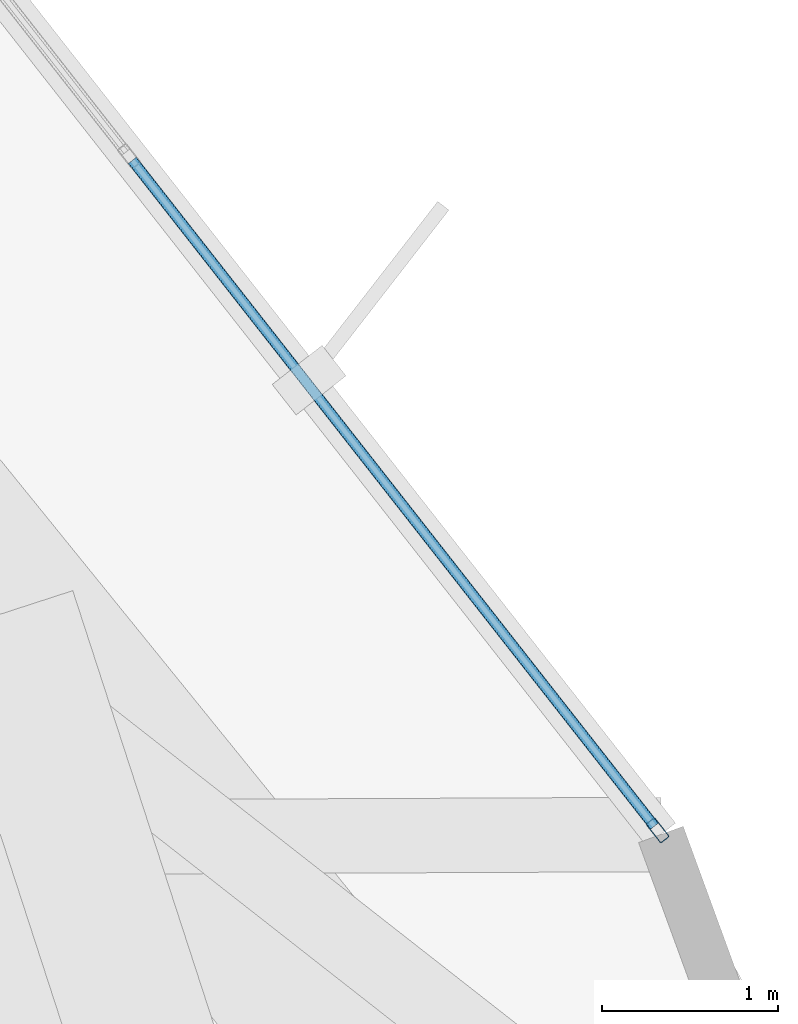
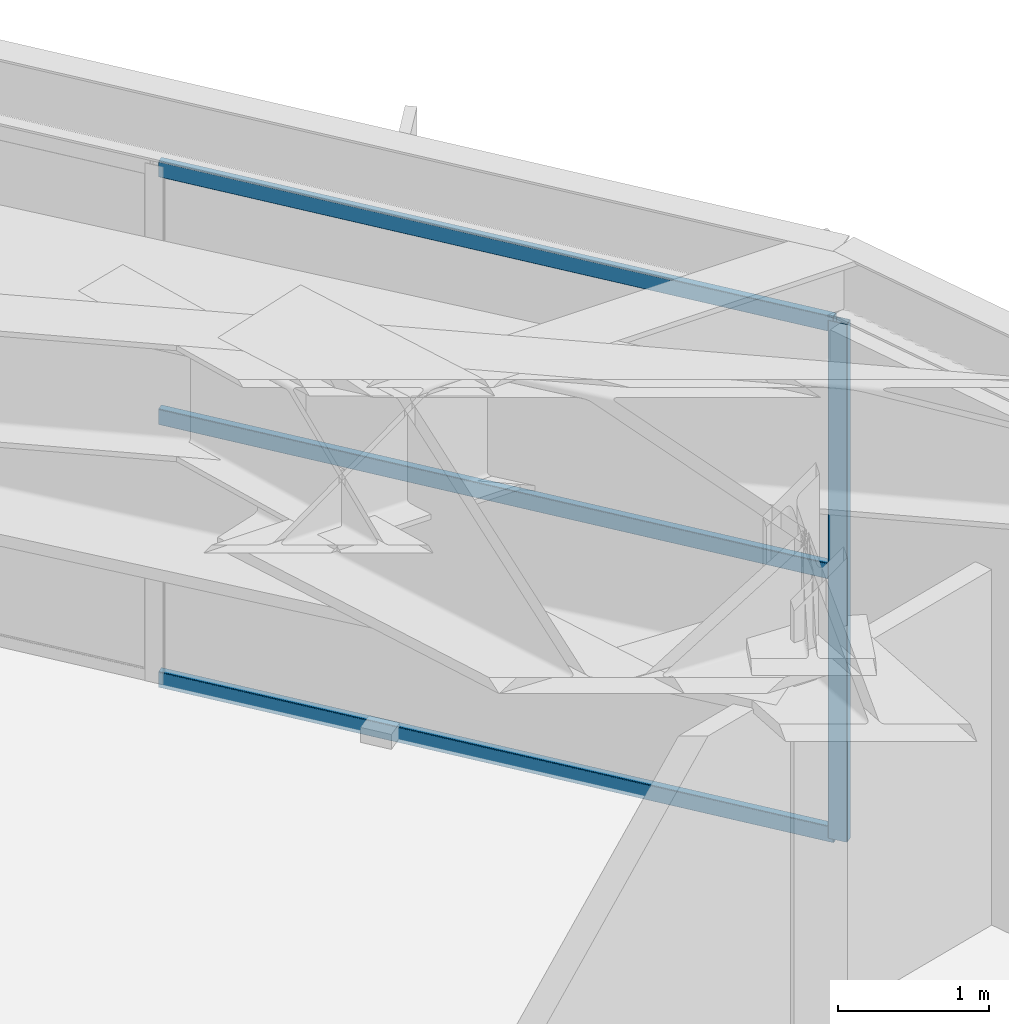
# One storey, part 17 of 30: 4 members, 1 element without a shape of its own.
"""IFC4 building model written with IfcOpenShell, lengths in metres."""

from ifc_helpers import new_model, si_unit, direction, frame, origin, origin_2d, place, context, subcontext, project, spatial, hollow_rectangle, extrude, material, layer, layer_set, material_profile, profile_set, type_object, element, aggregate, save


model = new_model("IFC4")

# Units and contexts
model_context = context("Model", 3, precision=1e-05, world=origin(), true_north=direction((0.0, 1.0)))
body_context = subcontext(model_context, "Body", "Model", "MODEL_VIEW")
ifc_project = project(units=[si_unit("LENGTHUNIT", "METRE"), si_unit("AREAUNIT", "SQUARE_METRE"), si_unit("VOLUMEUNIT", "CUBIC_METRE"), si_unit("PLANEANGLEUNIT", "RADIAN"), si_unit("MASSUNIT", "GRAM", prefix="KILO")], contexts=[model_context])

# Site, building, storey
site_placement = place(None, origin())
site = spatial("IfcSite", under=ifc_project, at=site_placement, CompositionType="ELEMENT")
building_placement = place(site_placement, origin())
building = spatial("IfcBuilding", under=site, at=building_placement, Name="Soratama Intermodal Tower", CompositionType="ELEMENT")
storey_placement = place(building_placement, frame((0.0, 0.0, 237.39990234375)))
storey = spatial("IfcBuildingStorey", under=building, at=storey_placement, Name="L60", CompositionType="ELEMENT", Elevation=237.39990234375)

# Curtain wall, members
ifc_material_1 = material(Name="Double-glazed aluminium curtain wall", Category="aluminium")
ifc_layer = layer(ifc_material_1, 0.159912109375)
ifc_layer_set = layer_set([ifc_layer], Name="Double-glazed aluminium curtain wall")
curtain_wall_type = type_object("IfcCurtainWallType", Name="CW-SYS-5", PredefinedType="NOTDEFINED", material=ifc_layer_set)
curtain_wall_placement = place(storey_placement, origin())
curtain_wall = element("IfcCurtainWall", 1, at=curtain_wall_placement, inside=storey, type_object=curtain_wall_type, Name="L60 Faceted Curtain Wall F10", PredefinedType="NOTDEFINED")
ifc_material_2 = material(Name="Anodised aluminium AA 6063-T6", Category="aluminium")
ifc_material_profile_1 = material_profile(ifc_material_2, hollow_rectangle(XDim=0.06494140625, YDim=0.139892578125, WallThickness=0.0048828125, InnerFilletRadius=0.0048828125, OuterFilletRadius=0.010009765625, at=origin_2d()), Name="CWM140X65X5")
ifc_profile_set_1 = profile_set([ifc_material_profile_1], Name="Anodised aluminium AA 6063-T6")
member_type_1 = type_object("IfcMemberType", Name="MT-CWM-5", PredefinedType="MULLION", material=ifc_profile_set_1)
member_1_placement = place(storey_placement, frame((63.646240234375, 33.433349609375, 0.0), z_axis=(0.0, 0.0, 1.0), x_axis=(-0.786934557535, -0.617036467446, 0.0)))
member_1 = element("IfcMember", 2, at=member_1_placement, type_object=member_type_1, Name="CW-5 mullion 1", PredefinedType="MULLION", context=body_context, shape_type="SweptSolid", body=[
    extrude(hollow_rectangle(XDim=0.06494140625, YDim=0.139892578125, WallThickness=0.0048828125, InnerFilletRadius=0.0048828125, OuterFilletRadius=0.010009765625, at=origin_2d()), origin(), (0.0, 0.0, 1.0), 4.17919921875),
])
ifc_material_3 = material(Name="Anodised aluminium AA 6063-T6", Category="aluminium")
ifc_material_profile_2 = material_profile(ifc_material_3, hollow_rectangle(XDim=0.06005859375, YDim=0.1298828125, WallThickness=0.0048828125, InnerFilletRadius=0.0048828125, OuterFilletRadius=0.010009765625, at=origin_2d()), Name="CWT130X60X5")
ifc_profile_set_2 = profile_set([ifc_material_profile_2], Name="Anodised aluminium AA 6063-T6")
member_type_2 = type_object("IfcMemberType", Name="TT-CWT-2", PredefinedType="USERDEFINED", material=ifc_profile_set_2)
member_2_placement = place(storey_placement, frame((63.627685546875, 33.45703125, 0.030029296875), z_axis=(-0.617049945873, 0.786923988895, 0.0), x_axis=(-0.786923988895, -0.617049945873, 0.0)))
member_2 = element("IfcMember", 3, at=member_2_placement, type_object=member_type_2, Name="CW-5 transom 1.1", ObjectType="TRANSOM", PredefinedType="USERDEFINED", context=body_context, shape_type="SweptSolid", body=[
    extrude(hollow_rectangle(XDim=0.06005859375, YDim=0.1298828125, WallThickness=0.0048828125, InnerFilletRadius=0.0048828125, OuterFilletRadius=0.010009765625, at=origin_2d()), origin(), (0.0, 0.0, 1.0), 4.808837890625),
])
member_3_placement = place(storey_placement, frame((63.627685546875, 33.45703125, 2.150146484375), z_axis=(-0.617049945873, 0.786923988895, 0.0), x_axis=(-0.786923988895, -0.617049945873, 0.0)))
member_3 = element("IfcMember", 4, at=member_3_placement, type_object=member_type_2, Name="CW-5 transom 1.2", ObjectType="TRANSOM", PredefinedType="USERDEFINED", context=body_context, shape_type="SweptSolid", body=[
    extrude(hollow_rectangle(XDim=0.06005859375, YDim=0.1298828125, WallThickness=0.0048828125, InnerFilletRadius=0.0048828125, OuterFilletRadius=0.010009765625, at=origin_2d()), origin(), (0.0, 0.0, 1.0), 4.808837890625),
])
member_4_placement = place(storey_placement, frame((63.627685546875, 33.45703125, 4.149169921875), z_axis=(-0.617049945873, 0.786923988895, 0.0), x_axis=(-0.786923988895, -0.617049945873, 0.0)))
member_4 = element("IfcMember", 5, at=member_4_placement, type_object=member_type_2, Name="CW-5 transom 1.3", ObjectType="TRANSOM", PredefinedType="USERDEFINED", context=body_context, shape_type="SweptSolid", body=[
    extrude(hollow_rectangle(XDim=0.06005859375, YDim=0.1298828125, WallThickness=0.0048828125, InnerFilletRadius=0.0048828125, OuterFilletRadius=0.010009765625, at=origin_2d()), origin(), (0.0, 0.0, 1.0), 4.808837890625),
])
aggregate(curtain_wall, [member_1, member_2, member_3, member_4])

save(model, "model.ifc")
